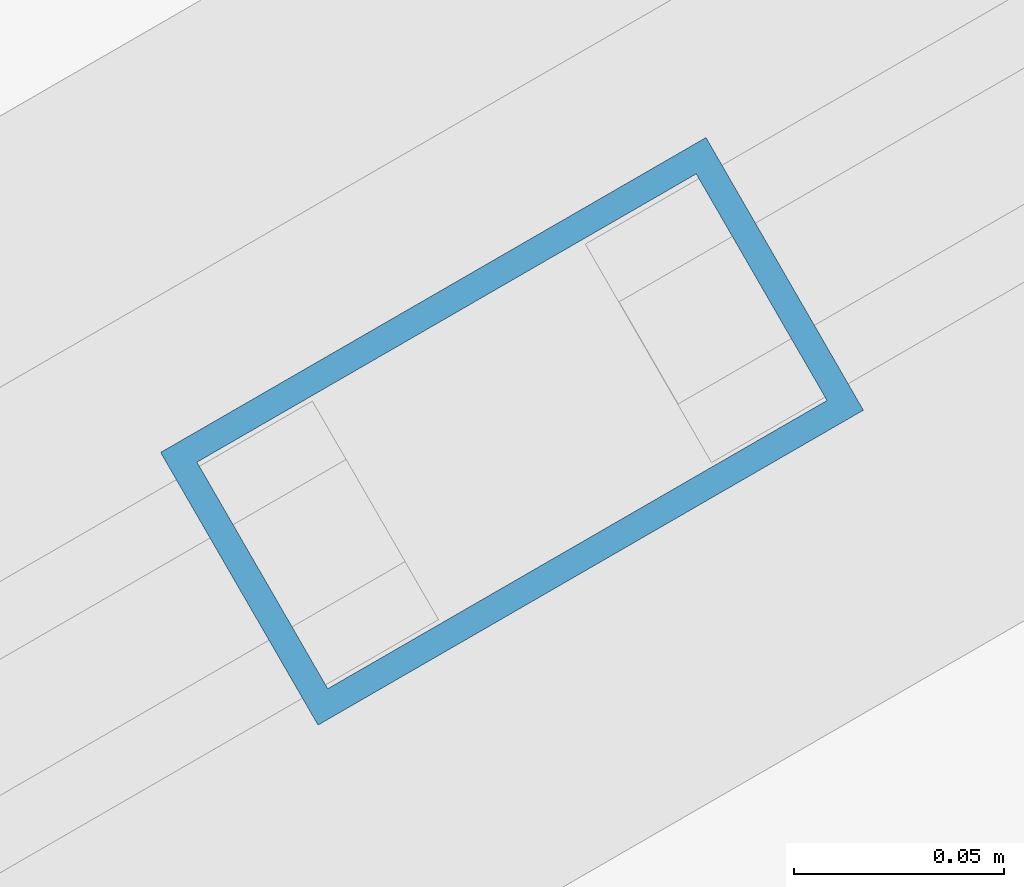
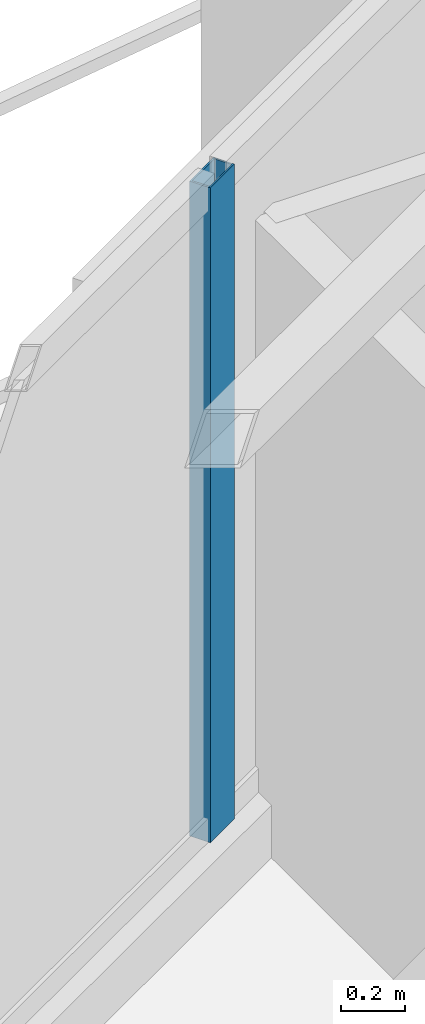
# One storey, part 10 of 21: 1 member, 1 element without a shape of its own.
"""IFC4 building model written with IfcOpenShell, lengths in metres."""

from ifc_helpers import new_model, si_unit, direction, frame, origin, origin_2d, place, context, subcontext, project, spatial, hollow_rectangle, extrude, material, layer, layer_set, material_profile, profile_set, type_object, element, aggregate, save


model = new_model("IFC4")

# Units and contexts
model_context = context("Model", 3, precision=1e-05, world=origin(), true_north=direction((0.0, 1.0)))
body_context = subcontext(model_context, "Body", "Model", "MODEL_VIEW")
ifc_project = project(units=[si_unit("LENGTHUNIT", "METRE"), si_unit("AREAUNIT", "SQUARE_METRE"), si_unit("VOLUMEUNIT", "CUBIC_METRE"), si_unit("PLANEANGLEUNIT", "RADIAN"), si_unit("MASSUNIT", "GRAM", prefix="KILO")], contexts=[model_context])

# Site, building, storey
site_placement = place(None, origin())
site = spatial("IfcSite", under=ifc_project, at=site_placement, CompositionType="ELEMENT")
building_placement = place(site_placement, origin())
building = spatial("IfcBuilding", under=site, at=building_placement, Name="Mersakhor Tower and Convention Hall", CompositionType="ELEMENT")
storey_placement = place(building_placement, frame((0.0, 0.0, 185.39990234375)))
storey = spatial("IfcBuildingStorey", under=building, at=storey_placement, Name="L51", CompositionType="ELEMENT", Elevation=185.39990234375)

# Curtain wall, member
ifc_material_1 = material(Name="Dark solar low-E aluminium curtain wall", Category="aluminium")
ifc_layer = layer(ifc_material_1, 0.169921875)
ifc_layer_set = layer_set([ifc_layer], Name="Dark solar low-E aluminium curtain wall")
curtain_wall_type = type_object("IfcCurtainWallType", Name="CW-SYS-02", PredefinedType="USERDEFINED", material=ifc_layer_set)
curtain_wall_placement = place(storey_placement, origin())
curtain_wall = element("IfcCurtainWall", 1, at=curtain_wall_placement, inside=storey, type_object=curtain_wall_type, Name="L51 Dark-Glass Curtain Wall F1-B2", ObjectType="CURTAIN WALL", PredefinedType="USERDEFINED")
ifc_material_2 = material(Name="Anodised aluminium EN AW-6063 T6", Category="aluminium")
ifc_material_profile = material_profile(ifc_material_2, hollow_rectangle(XDim=0.074951171875, YDim=0.14990234375, WallThickness=0.00634765625, at=origin_2d()), Name="RHS 150x75x6.3")
ifc_profile_set = profile_set([ifc_material_profile], Name="Anodised aluminium EN AW-6063 T6")
member_type = type_object("IfcMemberType", Name="CWM-150x75", PredefinedType="MULLION", material=ifc_profile_set)
member_placement = place(storey_placement, frame((24.504638671875, 37.535888671875, 0.2001953125), z_axis=(0.0, 0.0, 1.0), x_axis=(-0.500007824483, 0.86602088627, 0.0)))
member = element("IfcMember", 2, at=member_placement, type_object=member_type, Name="CW-02 mullion 3", PredefinedType="MULLION", context=body_context, shape_type="SweptSolid", body=[
    extrude(hollow_rectangle(XDim=0.074951171875, YDim=0.14990234375, WallThickness=0.00634765625, at=origin_2d()), origin(), (0.0, 0.0, 1.0), 2.489990234375),
])
aggregate(curtain_wall, [member])

save(model, "model.ifc")
